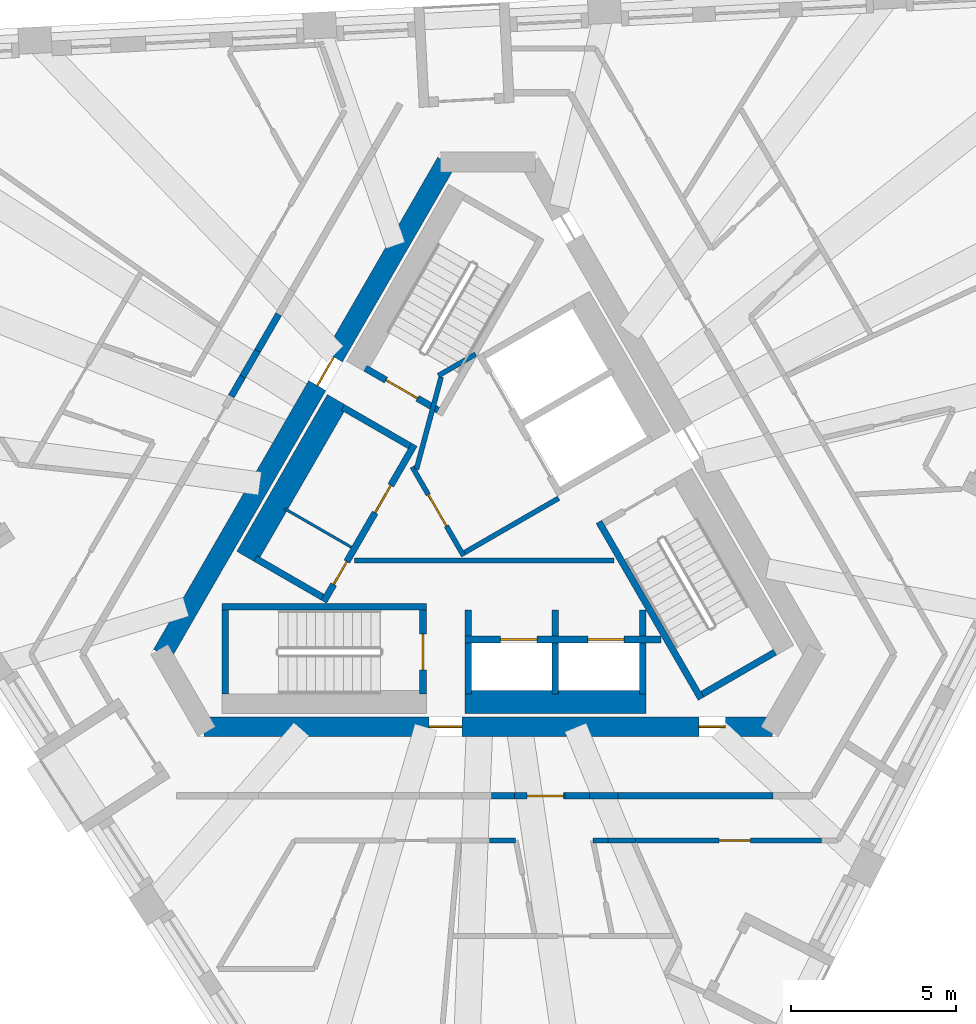
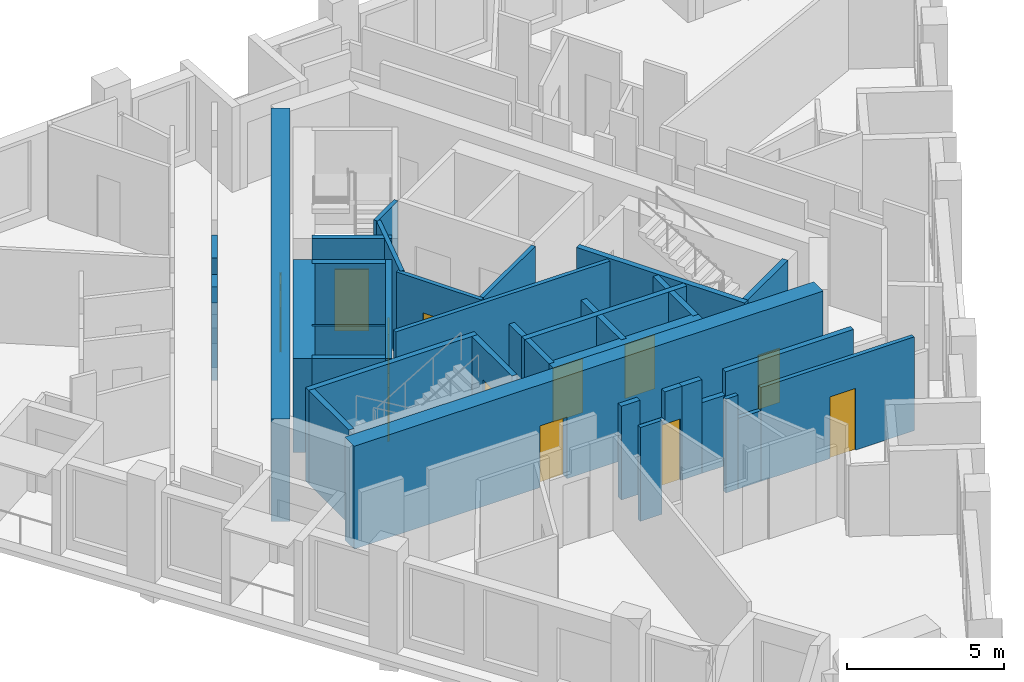
# One storey, part 4 of 13: 38 walls, 12 doors, 12 openings.
"""IFC4 building model written with IfcOpenShell, lengths in metres."""

from ifc_helpers import new_model, si_unit, direction, frame, frame_2d, origin, place, context, subcontext, project, spatial, polyline, rectangle, outline, extrude, material, layer, layer_set, type_object, element, fill, save


model = new_model("IFC4")

# Units and contexts
model_context = context("Model", 3, precision=1e-05, world=origin(), true_north=direction((0.0, 1.0)))
body_context = subcontext(model_context, "Body", "Model", "MODEL_VIEW")
ifc_project = project(units=[si_unit("LENGTHUNIT", "METRE"), si_unit("AREAUNIT", "SQUARE_METRE"), si_unit("VOLUMEUNIT", "CUBIC_METRE"), si_unit("PLANEANGLEUNIT", "RADIAN"), si_unit("MASSUNIT", "GRAM", prefix="KILO")], contexts=[model_context])

# Site, building, storey
site_placement = place(None, origin())
site = spatial("IfcSite", under=ifc_project, at=site_placement, CompositionType="ELEMENT")
building_placement = place(site_placement, origin())
building = spatial("IfcBuilding", under=site, at=building_placement, Name="Tramontana Tower", CompositionType="ELEMENT")
storey_placement = place(building_placement, frame((0.0, 0.0, 294.39990234375)))
storey = spatial("IfcBuildingStorey", under=building, at=storey_placement, Name="L69", CompositionType="ELEMENT", Elevation=294.39990234375)

# Wall, opening, door
ifc_material_1 = material(Name="Concrete 70 MPa", Category="concrete")
ifc_layer_1 = layer(ifc_material_1, 0.60009765625)
ifc_layer_set_1 = layer_set([ifc_layer_1], Name="Core wall 600 70 MPa")
wall_type_1 = type_object("IfcWallType", Name="Core wall 600 70 MPa", PredefinedType="SHEAR", material=ifc_layer_set_1)
wall_1_placement = place(storey_placement, frame((-1.270263671875, 10.699951171875, 0.0), z_axis=(0.0, 0.0, 1.0), x_axis=(-0.499999536116, -0.866025671608, 0.0)))
wall_1 = element("IfcWall", 1, at=wall_1_placement, inside=storey, type_object=wall_type_1, Name="Core wall C1 L69", PredefinedType="SHEAR", context=body_context, shape_type="SweptSolid", body=[
    extrude(rectangle(XDim=17.2626953125, YDim=0.60009765625, at=frame_2d((8.63134765625, 0.0))), origin(), (0.0, 0.0, 1.0), 4.0),
])
opening_1_placement = place(wall_1_placement, frame((6.83642578125, 0.0, 0.0)))
opening_1 = element("IfcOpeningElement", 2, at=opening_1_placement, cuts=wall_1, Name="Opening RG1", PredefinedType="OPENING", context=body_context, shape_type="SweptSolid", body=[
    extrude(rectangle(XDim=1.0, YDim=2.39990234375, at=frame_2d((0.5, 1.199951171875))), frame((0.0, 0.31005859375, 0.0), z_axis=(0.0, -1.0, 0.0), x_axis=(1.0, 0.0, 0.0)), (0.0, 0.0, 1.0), 0.6201171875),
])
ifc_material_2 = material(Name="Painted steel", Category="steel")
door_type_1 = type_object("IfcDoorType", Name="RING DOOR 1000", OperationType="SINGLE_SWING_LEFT", PredefinedType="DOOR", material=ifc_material_2)
door_1_placement = place(opening_1_placement, origin())
door_1 = element("IfcDoor", 3, at=door_1_placement, inside=storey, type_object=door_type_1, Name="Door RG1", OperationType="SINGLE_SWING_RIGHT", OverallHeight=2.39990234375, OverallWidth=1.0, PredefinedType="DOOR", context=body_context, shape_type="SweptSolid", body=[
    extrude(rectangle(XDim=1.0, YDim=2.39990234375, at=frame_2d((0.5, 1.199951171875))), frame((0.0, 0.02490234375, 0.0), z_axis=(0.0, -1.0, 0.0), x_axis=(1.0, 0.0, 0.0)), (0.0, 0.0, 1.0), 0.050048828125),
])
fill(opening_1, door_1)

# Wall, openings, doors
wall_2_placement = place(storey_placement, frame((-8.63134765625, -6.449951171875, 0.0), z_axis=(0.0, 0.0, 1.0), x_axis=(1.0, 0.0, 0.0)))
wall_2 = element("IfcWall", 4, at=wall_2_placement, inside=storey, type_object=wall_type_1, Name="Core wall C3 L69", PredefinedType="SHEAR", context=body_context, shape_type="SweptSolid", body=[
    extrude(rectangle(XDim=17.2626953125, YDim=0.60009765625, at=frame_2d((8.63134765625, 0.0))), origin(), (0.0, 0.0, 1.0), 4.0),
])
opening_2_placement = place(wall_2_placement, frame((6.83642578125, 0.0, 0.0)))
opening_2 = element("IfcOpeningElement", 5, at=opening_2_placement, cuts=wall_2, Name="Opening RG2", PredefinedType="OPENING", context=body_context, shape_type="SweptSolid", body=[
    extrude(rectangle(XDim=1.0, YDim=2.39990234375, at=frame_2d((0.5, 1.199951171875))), frame((0.0, 0.31005859375, 0.0), z_axis=(0.0, -1.0, 0.0), x_axis=(1.0, 0.0, 0.0)), (0.0, 0.0, 1.0), 0.6201171875),
])
opening_3_placement = place(wall_2_placement, frame((15.0341796875, 0.0, 0.0)))
opening_3 = element("IfcOpeningElement", 6, at=opening_3_placement, cuts=wall_2, Name="Opening PD2", PredefinedType="OPENING", context=body_context, shape_type="SweptSolid", body=[
    extrude(rectangle(XDim=0.800048828125, YDim=2.10009765625, at=frame_2d((0.39990234375, 1.050048828125))), frame((0.0, 0.31005859375, 0.0), z_axis=(0.0, -1.0, 0.0), x_axis=(1.0, 0.0, 0.0)), (0.0, 0.0, 1.0), 0.6201171875),
])
ifc_material_3 = material(Name="Painted steel", Category="steel")
door_type_2 = type_object("IfcDoorType", Name="CUPBOARD DOOR 800", OperationType="SINGLE_SWING_LEFT", PredefinedType="DOOR", material=ifc_material_3)
door_2_placement = place(opening_3_placement, origin())
door_2 = element("IfcDoor", 7, at=door_2_placement, inside=storey, type_object=door_type_2, Name="Door PD2", OperationType="SINGLE_SWING_LEFT", OverallHeight=2.10009765625, OverallWidth=0.800048828125, PredefinedType="DOOR", context=body_context, shape_type="SweptSolid", body=[
    extrude(rectangle(XDim=0.800048828125, YDim=2.10009765625, at=frame_2d((0.39990234375, 1.050048828125))), frame((0.0, 0.02490234375, 0.0), z_axis=(0.0, -1.0, 0.0), x_axis=(1.0, 0.0, 0.0)), (0.0, 0.0, 1.0), 0.050048828125),
])
fill(opening_3, door_2)
door_3_placement = place(opening_2_placement, origin())
door_3 = element("IfcDoor", 8, at=door_3_placement, inside=storey, type_object=door_type_1, Name="Door RG2", OperationType="SINGLE_SWING_LEFT", OverallHeight=2.39990234375, OverallWidth=1.0, PredefinedType="DOOR", context=body_context, shape_type="SweptSolid", body=[
    extrude(rectangle(XDim=1.0, YDim=2.39990234375, at=frame_2d((0.5, 1.199951171875))), frame((0.0, 0.02490234375, 0.0), z_axis=(0.0, -1.0, 0.0), x_axis=(1.0, 0.0, 0.0)), (0.0, 0.0, 1.0), 0.050048828125),
])
fill(opening_2, door_3)

# Walls
ifc_material_4 = material(Name="Blockwork", Category="masonry")
ifc_layer_2 = layer(ifc_material_4, 0.199951171875)
ifc_layer_set_2 = layer_set([ifc_layer_2], Name="ENTRY WALL 200")
wall_type_2 = type_object("IfcWallType", Name="ENTRY WALL 200", PredefinedType="SOLIDWALL", material=ifc_layer_set_2)
wall_3_placement = place(storey_placement, frame((8.6552734375, -8.550048828125, 0.0), z_axis=(0.0, 0.0, 1.0), x_axis=(-1.0, 0.0, 0.0)))
element("IfcWall", 9, at=wall_3_placement, inside=storey, type_object=wall_type_2, Name="Wall v71-ew1-1", PredefinedType="SOLIDWALL", context=body_context, shape_type="SweptSolid", body=[
    extrude(rectangle(XDim=4.71728515625, YDim=0.199951171875, at=frame_2d((2.358642578125, 0.0))), origin(), (0.0, 0.0, 1.0), 3.650146484375),
])
wall_4_placement = place(storey_placement, frame((3.93798828125, -8.550048828125, 0.0), z_axis=(0.0, 0.0, 1.0), x_axis=(-1.0, 0.0, 0.0)))
element("IfcWall", 10, at=wall_4_placement, inside=storey, type_object=wall_type_2, Name="Wall v71-ew1-2", PredefinedType="SOLIDWALL", context=body_context, shape_type="SweptSolid", body=[
    extrude(rectangle(XDim=0.864501953125, YDim=0.199951171875, at=frame_2d((0.43212890625, 0.0))), origin(), (0.0, 0.0, 1.0), 2.75),
])
wall_5_placement = place(storey_placement, frame((3.073486328125, -8.550048828125, 0.0), z_axis=(0.0, 0.0, 1.0), x_axis=(-1.0, 0.0, 0.0)))
element("IfcWall", 11, at=wall_5_placement, inside=storey, type_object=wall_type_2, Name="Wall v71-ew1-3", PredefinedType="SOLIDWALL", context=body_context, shape_type="SweptSolid", body=[
    extrude(rectangle(XDim=0.73828125, YDim=0.199951171875, at=frame_2d((0.369140625, 0.0))), origin(), (0.0, 0.0, 1.0), 3.650146484375),
])

# Wall, opening, door
wall_6_placement = place(storey_placement, frame((2.335205078125, -8.550048828125, 0.0), z_axis=(0.0, 0.0, 1.0), x_axis=(-1.0, 0.0, 0.0)))
wall_6 = element("IfcWall", 12, at=wall_6_placement, inside=storey, type_object=wall_type_2, Name="Wall v71-ew1-4", PredefinedType="SOLIDWALL", context=body_context, shape_type="SweptSolid", body=[
    extrude(outline(polyline([(0.0, 0.0), (1.5400390625, 0.0), (1.5400390625, 2.550048828125), (0.63037109375, 2.550048828125), (0.63037109375, 3.650146484375), (0.0, 3.650146484375), (0.0, 0.0)])), frame((0.0, 0.10009765625, 0.0), z_axis=(0.0, -1.0, 0.0), x_axis=(1.0, 0.0, 0.0)), (0.0, 0.0, 1.0), 0.199951171875),
])
opening_4_placement = place(wall_6_placement, frame((0.050048828125, 0.0, 0.0)))
opening_4 = element("IfcOpeningElement", 13, at=opening_4_placement, cuts=wall_6, Name="Opening B7B-21", PredefinedType="OPENING", context=body_context, shape_type="SweptSolid", body=[
    extrude(rectangle(XDim=1.10009765625, YDim=2.39990234375, at=frame_2d((0.550048828125, 1.199951171875))), frame((0.0, 0.10986328125, 0.0), z_axis=(0.0, -1.0, 0.0), x_axis=(1.0, 0.0, 0.0)), (0.0, 0.0, 1.0), 0.219970703125),
])
ifc_material_5 = material(Name="Painted timber", Category="wood")
door_type_3 = type_object("IfcDoorType", Name="DOOR ENTRY 1100", OperationType="SINGLE_SWING_LEFT", PredefinedType="DOOR", material=ifc_material_5)
door_4_placement = place(opening_4_placement, origin())
door_4 = element("IfcDoor", 14, at=door_4_placement, inside=storey, type_object=door_type_3, Name="Door B7B-21", OperationType="SINGLE_SWING_LEFT", OverallHeight=2.39990234375, OverallWidth=1.10009765625, PredefinedType="DOOR", context=body_context, shape_type="SweptSolid", body=[
    extrude(rectangle(XDim=1.10009765625, YDim=2.39990234375, at=frame_2d((0.550048828125, 1.199951171875))), frame((0.0, 0.02490234375, 0.0), z_axis=(0.0, -1.0, 0.0), x_axis=(1.0, 0.0, 0.0)), (0.0, 0.0, 1.0), 0.050048828125),
])
fill(opening_4, door_4)

# Walls
wall_7_placement = place(storey_placement, frame((0.795166015625, -8.550048828125, 0.0), z_axis=(0.0, 0.0, 1.0), x_axis=(-1.0, 0.0, 0.0)))
element("IfcWall", 15, at=wall_7_placement, inside=storey, type_object=wall_type_2, Name="Wall v71-ew1-5", PredefinedType="SOLIDWALL", context=body_context, shape_type="SweptSolid", body=[
    extrude(rectangle(XDim=0.69091796875, YDim=0.199951171875, at=frame_2d((0.345458984375, 0.0))), origin(), (0.0, 0.0, 1.0), 3.650146484375),
])
wall_8_placement = place(storey_placement, frame((-7.80224609375, 3.586181640625, 0.0), z_axis=(0.0, 0.0, 1.0), x_axis=(0.500242282693, 0.865885476611, 0.0)))
element("IfcWall", 16, at=wall_8_placement, inside=storey, type_object=wall_type_2, Name="Wall v71-ew3-5", PredefinedType="SOLIDWALL", context=body_context, shape_type="SweptSolid", body=[
    extrude(rectangle(XDim=0.691162109375, YDim=0.199951171875, at=frame_2d((0.345703125, 0.0))), origin(), (0.0, 0.0, 1.0), 3.650146484375),
])
wall_9_placement = place(storey_placement, frame((-7.45654296875, 4.1845703125, 0.0), z_axis=(0.0, 0.0, 1.0), x_axis=(0.499753735824, 0.866167537795, 0.0)))
element("IfcWall", 17, at=wall_9_placement, inside=storey, type_object=wall_type_2, Name="Wall v71-ew3-6", PredefinedType="SOLIDWALL", context=body_context, shape_type="SweptSolid", body=[
    extrude(rectangle(XDim=0.90087890625, YDim=0.199951171875, at=frame_2d((0.450439453125, 0.0))), origin(), (0.0, 0.0, 1.0), 2.550048828125),
])
wall_10_placement = place(storey_placement, frame((-7.00634765625, 4.96484375, 0.0), z_axis=(0.0, 0.0, 1.0), x_axis=(0.500018234033, 0.866014876105, 0.0)))
element("IfcWall", 18, at=wall_10_placement, inside=storey, type_object=wall_type_2, Name="Wall v71-ew3-7", PredefinedType="SOLIDWALL", context=body_context, shape_type="SweptSolid", body=[
    extrude(rectangle(XDim=1.2861328125, YDim=0.199951171875, at=frame_2d((0.64306640625, 0.0))), origin(), (0.0, 0.0, 1.0), 3.650146484375),
])

# Wall, opening, door
ifc_material_6 = material(Name="Gypsum board partition")
ifc_layer_3 = layer(ifc_material_6, 0.14990234375)
ifc_layer_set_3 = layer_set([ifc_layer_3], Name="PARTITION 150")
wall_type_3 = type_object("IfcWallType", Name="PARTITION 150", PredefinedType="PARTITIONING", material=ifc_layer_set_3)
wall_11_placement = place(storey_placement, frame((-0.744140625, -1.260986328125, 0.0), z_axis=(0.0, 0.0, 1.0), x_axis=(-0.500004234368, 0.866022959057, 0.0)))
wall_11 = element("IfcWall", 19, at=wall_11_placement, inside=storey, type_object=wall_type_3, Name="Wall ff-front", PredefinedType="PARTITIONING", context=body_context, shape_type="SweptSolid", body=[
    extrude(rectangle(XDim=3.125, YDim=0.14990234375, at=frame_2d((1.5625, 0.0))), origin(), (0.0, 0.0, 1.0), 3.650146484375),
])
opening_5_placement = place(wall_11_placement, frame((1.050048828125, 0.0, 0.0)))
opening_5 = element("IfcOpeningElement", 20, at=opening_5_placement, cuts=wall_11, Name="Opening FD1", PredefinedType="OPENING", context=body_context, shape_type="SweptSolid", body=[
    extrude(rectangle(XDim=1.10009765625, YDim=2.39990234375, at=frame_2d((0.550048828125, 1.199951171875))), frame((0.0, 0.0849609375, 0.0), z_axis=(0.0, -1.0, 0.0), x_axis=(1.0, 0.0, 0.0)), (0.0, 0.0, 1.0), 0.169921875),
])
door_5_placement = place(opening_5_placement, origin())
door_5 = element("IfcDoor", 21, at=door_5_placement, inside=storey, type_object=door_type_3, Name="Door FD1", OperationType="SINGLE_SWING_LEFT", OverallHeight=2.39990234375, OverallWidth=1.10009765625, PredefinedType="DOOR", context=body_context, shape_type="SweptSolid", body=[
    extrude(rectangle(XDim=1.10009765625, YDim=2.39990234375, at=frame_2d((0.550048828125, 1.199951171875))), frame((0.0, 0.02490234375, 0.0), z_axis=(0.0, -1.0, 0.0), x_axis=(1.0, 0.0, 0.0)), (0.0, 0.0, 1.0), 0.050048828125),
])
fill(opening_5, door_5)

# Walls
wall_12_placement = place(storey_placement, frame((-0.716796875, -1.15869140625, 0.0), z_axis=(0.0, 0.0, 1.0), x_axis=(0.866008176907, 0.50002983664, 0.0)))
element("IfcWall", 22, at=wall_12_placement, inside=storey, type_object=wall_type_3, Name="Wall ff-end0", PredefinedType="PARTITIONING", context=body_context, shape_type="SweptSolid", body=[
    extrude(rectangle(XDim=3.300048828125, YDim=0.14990234375, at=frame_2d((1.64990234375, 0.0))), origin(), (0.0, 0.0, 1.0), 3.650146484375),
])
wall_13_placement = place(storey_placement, frame((-2.177978515625, 1.372314453125, 0.0), z_axis=(0.0, 0.0, 1.0), x_axis=(0.258808958833, 0.96592852884, 0.0)))
element("IfcWall", 23, at=wall_13_placement, inside=storey, type_object=wall_type_3, Name="Wall ff-diag", PredefinedType="PARTITIONING", context=body_context, shape_type="SweptSolid", body=[
    extrude(rectangle(XDim=2.902587890625, YDim=0.14990234375, at=frame_2d((1.451171875, 0.0))), origin(), (0.0, 0.0, 1.0), 3.650146484375),
])
wall_14_placement = place(storey_placement, frame((-1.509765625, 4.21484375, 0.0), z_axis=(0.0, 0.0, 1.0), x_axis=(0.866085525409, 0.49989585183, 0.0)))
element("IfcWall", 24, at=wall_14_placement, inside=storey, type_object=wall_type_3, Name="Wall ff-end1", PredefinedType="PARTITIONING", context=body_context, shape_type="SweptSolid", body=[
    extrude(rectangle(XDim=1.300048828125, YDim=0.14990234375, at=frame_2d((0.64990234375, 0.0))), origin(), (0.0, 0.0, 1.0), 3.650146484375),
])
wall_15_placement = place(storey_placement, frame((-4.053466796875, -1.39990234375, 0.0), z_axis=(0.0, 0.0, 1.0), x_axis=(1.0, 0.0, 0.0)))
element("IfcWall", 25, at=wall_15_placement, inside=storey, type_object=wall_type_3, Name="Wall hub-cut1", PredefinedType="PARTITIONING", context=body_context, shape_type="SweptSolid", body=[
    extrude(rectangle(XDim=7.8759765625, YDim=0.14990234375, at=frame_2d((3.93798828125, 0.0))), origin(), (0.0, 0.0, 1.0), 3.650146484375),
])
wall_16_placement = place(storey_placement, frame((0.83251953125, -9.89990234375, 0.0), z_axis=(0.0, 0.0, 1.0), x_axis=(-1.0, 0.0, 0.0)))
element("IfcWall", 26, at=wall_16_placement, inside=storey, type_object=wall_type_3, Name="Wall v71-pw21-0", PredefinedType="PARTITIONING", context=body_context, shape_type="SweptSolid", body=[
    extrude(rectangle(XDim=0.79541015625, YDim=0.14990234375, at=frame_2d((0.397705078125, 0.0))), origin(), (0.0, 0.0, 1.0), 3.650146484375),
])

# Wall, opening, door
wall_17_placement = place(storey_placement, frame((10.121337890625, -9.89990234375, 0.0), z_axis=(0.0, 0.0, 1.0), x_axis=(-1.0, 0.0, 0.0)))
wall_17 = element("IfcWall", 27, at=wall_17_placement, inside=storey, type_object=wall_type_3, Name="Wall v71-pw36-1", PredefinedType="PARTITIONING", context=body_context, shape_type="SweptSolid", body=[
    extrude(rectangle(XDim=5.643310546875, YDim=0.14990234375, at=frame_2d((2.82177734375, 0.0))), origin(), (0.0, 0.0, 1.0), 3.650146484375),
])
opening_6_placement = place(wall_17_placement, frame((2.158447265625, 0.0, 0.0)))
opening_6 = element("IfcOpeningElement", 28, at=opening_6_placement, cuts=wall_17, Name="Opening B7B-11", PredefinedType="OPENING", context=body_context, shape_type="SweptSolid", body=[
    extrude(rectangle(XDim=0.949951171875, YDim=2.39990234375, at=frame_2d((0.47509765625, 1.199951171875))), frame((0.0, 0.0849609375, 0.0), z_axis=(0.0, -1.0, 0.0), x_axis=(1.0, 0.0, 0.0)), (0.0, 0.0, 1.0), 0.169921875),
])
ifc_material_7 = material(Name="Painted timber", Category="wood")
door_type_4 = type_object("IfcDoorType", Name="DOOR ROOM 950", OperationType="SINGLE_SWING_LEFT", PredefinedType="DOOR", material=ifc_material_7)
door_6_placement = place(opening_6_placement, origin())
door_6 = element("IfcDoor", 29, at=door_6_placement, inside=storey, type_object=door_type_4, Name="Door B7B-11", OperationType="SINGLE_SWING_LEFT", OverallHeight=2.39990234375, OverallWidth=0.949951171875, PredefinedType="DOOR", context=body_context, shape_type="SweptSolid", body=[
    extrude(rectangle(XDim=0.949951171875, YDim=2.39990234375, at=frame_2d((0.47509765625, 1.199951171875))), frame((0.0, 0.02490234375, 0.0), z_axis=(0.0, -1.0, 0.0), x_axis=(1.0, 0.0, 0.0)), (0.0, 0.0, 1.0), 0.050048828125),
])
fill(opening_6, door_6)

# Walls
wall_18_placement = place(storey_placement, frame((4.47802734375, -9.89990234375, 0.0), z_axis=(0.0, 0.0, 1.0), x_axis=(-1.0, 0.0, 0.0)))
element("IfcWall", 30, at=wall_18_placement, inside=storey, type_object=wall_type_3, Name="Wall v71-pw36-2", PredefinedType="PARTITIONING", context=body_context, shape_type="SweptSolid", body=[
    extrude(rectangle(XDim=0.837646484375, YDim=0.14990234375, at=frame_2d((0.4189453125, 0.0))), origin(), (0.0, 0.0, 1.0), 2.75),
])
wall_19_placement = place(storey_placement, frame((3.640380859375, -9.89990234375, 0.0), z_axis=(0.0, 0.0, 1.0), x_axis=(-1.0, 0.0, 0.0)))
element("IfcWall", 31, at=wall_19_placement, inside=storey, type_object=wall_type_3, Name="Wall v71-pw36-3", PredefinedType="PARTITIONING", context=body_context, shape_type="SweptSolid", body=[
    extrude(rectangle(XDim=0.45263671875, YDim=0.14990234375, at=frame_2d((0.226318359375, 0.0))), origin(), (0.0, 0.0, 1.0), 3.650146484375),
])
ifc_material_8 = material(Name="Gypsum board partition")
ifc_layer_4 = layer(ifc_material_8, 0.080078125)
ifc_layer_set_4 = layer_set([ifc_layer_4], Name="PARTITION 80")
wall_type_4 = type_object("IfcWallType", Name="PARTITION 80", PredefinedType="PARTITIONING", material=ifc_layer_set_4)
wall_20_placement = place(storey_placement, frame((-4.15478515625, -0.99609375, 0.0), z_axis=(0.0, 0.0, 1.0), x_axis=(-0.866016039709, 0.500016218704, 0.0)))
element("IfcWall", 32, at=wall_20_placement, inside=storey, type_object=wall_type_4, Name="Wall row0-split", PredefinedType="PARTITIONING", context=body_context, shape_type="SweptSolid", body=[
    extrude(rectangle(XDim=2.35009765625, YDim=0.080078125, at=frame_2d((1.175048828125, 0.0))), origin(), (0.0, 0.0, 1.0), 3.650146484375),
])
ifc_material_9 = material(Name="Concrete 70 MPa", Category="concrete")
ifc_layer_5 = layer(ifc_material_9, 0.699951171875)
ifc_layer_set_5 = layer_set([ifc_layer_5], Name="Concrete 70 MPa, 700 mm")
wall_type_5 = type_object("IfcWallType", Name="RC SHAFT BACK WALL 700", PredefinedType="SOLIDWALL", material=ifc_layer_set_5)
for number, where, z_axis, x_axis, name in (
    (33, (-4.581298828125, 3.46484375, 0.0), (0.0, 0.0, 1.0), (-0.499996545922, -0.866027397988, 0.0), "Wall row0-back"),
    (34, (-0.7099609375, -5.699951171875, 0.0), (0.0, 0.0, 1.0), (1.0, 0.0, 0.0), "Wall row1-back"),
):
    element("IfcWall", number, at=place(storey_placement, frame(where, z_axis=z_axis, x_axis=x_axis)), inside=storey, type_object=wall_type_5, Name=name, PredefinedType="SOLIDWALL", context=body_context, shape_type="SweptSolid", body=[
        extrude(rectangle(XDim=5.5, YDim=0.699951171875, at=frame_2d((2.75, 0.0))), origin(), (0.0, 0.0, 1.0), 3.650146484375),
    ])

# Wall, opening, door
ifc_material_10 = material(Name="Concrete 70 MPa", Category="concrete")
ifc_layer_6 = layer(ifc_material_10, 0.199951171875)
ifc_layer_set_6 = layer_set([ifc_layer_6], Name="Concrete 70 MPa, 200 mm")
wall_type_6 = type_object("IfcWallType", Name="RC STAIR AND SHAFT WALL 200", PredefinedType="SOLIDWALL", material=ifc_layer_set_6)
wall_21_placement = place(storey_placement, frame((-1.521484375, 3.164794921875, 0.0), z_axis=(0.0, 0.0, 1.0), x_axis=(-0.866030925526, 0.499990435942, 0.0)))
wall_21 = element("IfcWall", 35, at=wall_21_placement, inside=storey, type_object=wall_type_6, Name="Wall st1-near", PredefinedType="SOLIDWALL", context=body_context, shape_type="SweptSolid", body=[
    extrude(rectangle(XDim=2.5498046875, YDim=0.199951171875, at=frame_2d((1.27490234375, 0.0))), origin(), (0.0, 0.0, 1.0), 3.650146484375),
])
opening_7_placement = place(wall_21_placement, frame((0.72509765625, 0.0, 0.0)))
opening_7 = element("IfcOpeningElement", 36, at=opening_7_placement, cuts=wall_21, Name="Opening SD1", PredefinedType="OPENING", context=body_context, shape_type="SweptSolid", body=[
    extrude(rectangle(XDim=1.10009765625, YDim=2.39990234375, at=frame_2d((0.550048828125, 1.199951171875))), frame((0.0, 0.10986328125, 0.0), z_axis=(0.0, -1.0, 0.0), x_axis=(1.0, 0.0, 0.0)), (0.0, 0.0, 1.0), 0.219970703125),
])
ifc_material_11 = material(Name="Painted steel", Category="steel")
door_type_5 = type_object("IfcDoorType", Name="STAIR DOOR 1100", OperationType="SINGLE_SWING_LEFT", PredefinedType="DOOR", material=ifc_material_11)
door_7_placement = place(opening_7_placement, origin())
door_7 = element("IfcDoor", 37, at=door_7_placement, inside=storey, type_object=door_type_5, Name="Door SD1", OperationType="SINGLE_SWING_RIGHT", OverallHeight=2.39990234375, OverallWidth=1.10009765625, PredefinedType="DOOR", context=body_context, shape_type="SweptSolid", body=[
    extrude(rectangle(XDim=1.10009765625, YDim=2.39990234375, at=frame_2d((0.550048828125, 1.199951171875))), frame((0.0, 0.02490234375, 0.0), z_axis=(0.0, -1.0, 0.0), x_axis=(1.0, 0.0, 0.0)), (0.0, 0.0, 1.0), 0.050048828125),
])
fill(opening_7, door_7)

# Walls
wall_22_placement = place(storey_placement, frame((-8.080078125, -2.800048828125, 0.0), z_axis=(0.0, 0.0, 1.0), x_axis=(1.0, 0.0, 0.0)))
element("IfcWall", 38, at=wall_22_placement, inside=storey, type_object=wall_type_6, Name="Wall st2-front", PredefinedType="SOLIDWALL", context=body_context, shape_type="SweptSolid", body=[
    extrude(rectangle(XDim=6.2001953125, YDim=0.199951171875, at=frame_2d((3.10009765625, 0.0))), origin(), (0.0, 0.0, 1.0), 3.650146484375),
])
wall_23_placement = place(storey_placement, frame((-7.97998046875, -2.89990234375, 0.0), z_axis=(0.0, 0.0, 1.0), x_axis=(0.0, -1.0, 0.0)))
element("IfcWall", 39, at=wall_23_placement, inside=storey, type_object=wall_type_6, Name="Wall st2-far", PredefinedType="SOLIDWALL", context=body_context, shape_type="SweptSolid", body=[
    extrude(rectangle(XDim=2.550048828125, YDim=0.199951171875, at=frame_2d((1.27490234375, 0.0))), origin(), (0.0, 0.0, 1.0), 3.650146484375),
])

# Wall, opening, door
wall_24_placement = place(storey_placement, frame((-1.97998046875, -2.89990234375, 0.0), z_axis=(0.0, 0.0, 1.0), x_axis=(0.0, -1.0, 0.0)))
wall_24 = element("IfcWall", 40, at=wall_24_placement, inside=storey, type_object=wall_type_6, Name="Wall st2-near", PredefinedType="SOLIDWALL", context=body_context, shape_type="SweptSolid", body=[
    extrude(rectangle(XDim=2.550048828125, YDim=0.199951171875, at=frame_2d((1.27490234375, 0.0))), origin(), (0.0, 0.0, 1.0), 3.650146484375),
])
opening_8_placement = place(wall_24_placement, frame((0.72509765625, 0.0, 0.0)))
opening_8 = element("IfcOpeningElement", 41, at=opening_8_placement, cuts=wall_24, Name="Opening SD2", PredefinedType="OPENING", context=body_context, shape_type="SweptSolid", body=[
    extrude(rectangle(XDim=1.10009765625, YDim=2.39990234375, at=frame_2d((0.550048828125, 1.199951171875))), frame((0.0, 0.10986328125, 0.0), z_axis=(0.0, -1.0, 0.0), x_axis=(1.0, 0.0, 0.0)), (0.0, 0.0, 1.0), 0.219970703125),
])
door_8_placement = place(opening_8_placement, origin())
door_8 = element("IfcDoor", 42, at=door_8_placement, inside=storey, type_object=door_type_5, Name="Door SD2", OperationType="SINGLE_SWING_LEFT", OverallHeight=2.39990234375, OverallWidth=1.10009765625, PredefinedType="DOOR", context=body_context, shape_type="SweptSolid", body=[
    extrude(rectangle(XDim=1.10009765625, YDim=2.39990234375, at=frame_2d((0.550048828125, 1.199951171875))), frame((0.0, 0.02490234375, 0.0), z_axis=(0.0, -1.0, 0.0), x_axis=(1.0, 0.0, 0.0)), (0.0, 0.0, 1.0), 0.050048828125),
])
fill(opening_8, door_8)

# Walls
wall_25_placement = place(storey_placement, frame((6.46484375, -5.597412109375, 0.0), z_axis=(0.0, 0.0, 1.0), x_axis=(-0.49998037582, 0.866036733513, 0.0)))
element("IfcWall", 43, at=wall_25_placement, inside=storey, type_object=wall_type_6, Name="Wall st3-front", PredefinedType="SOLIDWALL", context=body_context, shape_type="SweptSolid", body=[
    extrude(rectangle(XDim=6.199951171875, YDim=0.199951171875, at=frame_2d((3.10009765625, 0.0))), origin(), (0.0, 0.0, 1.0), 3.650146484375),
])
wall_26_placement = place(storey_placement, frame((6.50146484375, -5.4609375, 0.0), z_axis=(0.0, 0.0, 1.0), x_axis=(0.865989465428, 0.500062241894, 0.0)))
element("IfcWall", 44, at=wall_26_placement, inside=storey, type_object=wall_type_6, Name="Wall st3-far", PredefinedType="SOLIDWALL", context=body_context, shape_type="SweptSolid", body=[
    extrude(rectangle(XDim=2.550048828125, YDim=0.199951171875, at=frame_2d((1.27490234375, 0.0))), origin(), (0.0, 0.0, 1.0), 3.650146484375),
])

# Wall, openings, doors
wall_27_placement = place(storey_placement, frame((-4.9931640625, -2.648193359375, 0.0), z_axis=(0.0, 0.0, 1.0), x_axis=(0.499996545922, 0.866027397988, 0.0)))
wall_27 = element("IfcWall", 45, at=wall_27_placement, inside=storey, type_object=wall_type_6, Name="Wall row0-front", PredefinedType="SOLIDWALL", context=body_context, shape_type="SweptSolid", body=[
    extrude(rectangle(XDim=5.5, YDim=0.199951171875, at=frame_2d((2.75, 0.0))), origin(), (0.0, 0.0, 1.0), 3.650146484375),
])
opening_9_placement = place(wall_27_placement, frame((3.1201171875, 0.0, 0.0)))
opening_9 = element("IfcOpeningElement", 46, at=opening_9_placement, cuts=wall_27, Name="Opening RD-0A", PredefinedType="OPENING", context=body_context, shape_type="SweptSolid", body=[
    extrude(rectangle(XDim=0.949951171875, YDim=2.39990234375, at=frame_2d((0.47509765625, 1.199951171875))), frame((0.0, 0.10986328125, 0.0), z_axis=(0.0, -1.0, 0.0), x_axis=(1.0, 0.0, 0.0)), (0.0, 0.0, 1.0), 0.219970703125),
])
opening_10_placement = place(wall_27_placement, frame((0.60498046875, 0.0, 0.0)))
opening_10 = element("IfcOpeningElement", 47, at=opening_10_placement, cuts=wall_27, Name="Opening RD-0B", PredefinedType="OPENING", context=body_context, shape_type="SweptSolid", body=[
    extrude(rectangle(XDim=0.800048828125, YDim=2.10009765625, at=frame_2d((0.39990234375, 1.050048828125))), frame((0.0, 0.10986328125, 0.0), z_axis=(0.0, -1.0, 0.0), x_axis=(1.0, 0.0, 0.0)), (0.0, 0.0, 1.0), 0.219970703125),
])
door_9_placement = place(opening_10_placement, origin())
door_9 = element("IfcDoor", 48, at=door_9_placement, inside=storey, type_object=door_type_2, Name="Door RD-0B", OperationType="SINGLE_SWING_RIGHT", OverallHeight=2.10009765625, OverallWidth=0.800048828125, PredefinedType="DOOR", context=body_context, shape_type="SweptSolid", body=[
    extrude(rectangle(XDim=0.800048828125, YDim=2.10009765625, at=frame_2d((0.39990234375, 1.050048828125))), frame((0.0, 0.02490234375, 0.0), z_axis=(0.0, -1.0, 0.0), x_axis=(1.0, 0.0, 0.0)), (0.0, 0.0, 1.0), 0.050048828125),
])
fill(opening_10, door_9)
door_10_placement = place(opening_9_placement, origin())
door_10 = element("IfcDoor", 49, at=door_10_placement, inside=storey, type_object=door_type_4, Name="Door RD-0A", OperationType="SINGLE_SWING_LEFT", OverallHeight=2.39990234375, OverallWidth=0.949951171875, PredefinedType="DOOR", context=body_context, shape_type="SweptSolid", body=[
    extrude(rectangle(XDim=0.949951171875, YDim=2.39990234375, at=frame_2d((0.47509765625, 1.199951171875))), frame((0.0, 0.02490234375, 0.0), z_axis=(0.0, -1.0, 0.0), x_axis=(1.0, 0.0, 0.0)), (0.0, 0.0, 1.0), 0.050048828125),
])
fill(opening_9, door_10)

# Walls
wall_28_placement = place(storey_placement, frame((-2.379638671875, 2.078369140625, 0.0), z_axis=(0.0, 0.0, 1.0), x_axis=(-0.866061024631, 0.499938297808, 0.0)))
element("IfcWall", 50, at=wall_28_placement, inside=storey, type_object=wall_type_6, Name="Wall row0-side0", PredefinedType="SOLIDWALL", context=body_context, shape_type="SweptSolid", body=[
    extrude(rectangle(XDim=2.349853515625, YDim=0.199951171875, at=frame_2d((1.1748046875, 0.0))), origin(), (0.0, 0.0, 1.0), 3.650146484375),
])
wall_29_placement = place(storey_placement, frame((-5.02978515625, -2.51171875, 0.0), z_axis=(0.0, 0.0, 1.0), x_axis=(-0.866016039709, 0.500016218704, 0.0)))
element("IfcWall", 51, at=wall_29_placement, inside=storey, type_object=wall_type_6, Name="Wall row0-side2", PredefinedType="SOLIDWALL", context=body_context, shape_type="SweptSolid", body=[
    extrude(rectangle(XDim=2.35009765625, YDim=0.199951171875, at=frame_2d((1.175048828125, 0.0))), origin(), (0.0, 0.0, 1.0), 3.650146484375),
])

# Wall, openings, doors
wall_30_placement = place(storey_placement, frame((-0.7099609375, -3.800048828125, 0.0), z_axis=(0.0, 0.0, 1.0), x_axis=(1.0, 0.0, 0.0)))
wall_30 = element("IfcWall", 52, at=wall_30_placement, inside=storey, type_object=wall_type_6, Name="Wall row1-front", PredefinedType="SOLIDWALL", context=body_context, shape_type="SweptSolid", body=[
    extrude(rectangle(XDim=5.96142578125, YDim=0.199951171875, at=frame_2d((2.980712890625, 0.0))), origin(), (0.0, 0.0, 1.0), 3.650146484375),
])
opening_11_placement = place(wall_30_placement, frame((1.090087890625, 0.0, 0.0)))
opening_11 = element("IfcOpeningElement", 53, at=opening_11_placement, cuts=wall_30, Name="Opening LD-S1", PredefinedType="OPENING", context=body_context, shape_type="SweptSolid", body=[
    extrude(rectangle(XDim=1.10009765625, YDim=2.10009765625, at=frame_2d((0.550048828125, 1.050048828125))), frame((0.0, 0.10986328125, 0.0), z_axis=(0.0, -1.0, 0.0), x_axis=(1.0, 0.0, 0.0)), (0.0, 0.0, 1.0), 0.219970703125),
])
opening_12_placement = place(wall_30_placement, frame((3.739990234375, 0.0, 0.0)))
opening_12 = element("IfcOpeningElement", 54, at=opening_12_placement, cuts=wall_30, Name="Opening LD-S2", PredefinedType="OPENING", context=body_context, shape_type="SweptSolid", body=[
    extrude(rectangle(XDim=1.10009765625, YDim=2.10009765625, at=frame_2d((0.550048828125, 1.050048828125))), frame((0.0, 0.10986328125, 0.0), z_axis=(0.0, -1.0, 0.0), x_axis=(1.0, 0.0, 0.0)), (0.0, 0.0, 1.0), 0.219970703125),
])
ifc_material_12 = material(Name="Brushed steel", Category="steel")
door_type_6 = type_object("IfcDoorType", Name="LANDING DOOR 1100", OperationType="SINGLE_SWING_LEFT", PredefinedType="DOOR", material=ifc_material_12)
door_11_placement = place(opening_11_placement, origin())
door_11 = element("IfcDoor", 55, at=door_11_placement, inside=storey, type_object=door_type_6, Name="Door LD-S1", OperationType="SLIDING_TO_LEFT", OverallHeight=2.10009765625, OverallWidth=1.10009765625, PredefinedType="DOOR", context=body_context, shape_type="SweptSolid", body=[
    extrude(rectangle(XDim=1.10009765625, YDim=2.10009765625, at=frame_2d((0.550048828125, 1.050048828125))), frame((0.0, 0.02490234375, 0.0), z_axis=(0.0, -1.0, 0.0), x_axis=(1.0, 0.0, 0.0)), (0.0, 0.0, 1.0), 0.050048828125),
])
fill(opening_11, door_11)
door_12_placement = place(opening_12_placement, origin())
door_12 = element("IfcDoor", 56, at=door_12_placement, inside=storey, type_object=door_type_6, Name="Door LD-S2", OperationType="SLIDING_TO_RIGHT", OverallHeight=2.10009765625, OverallWidth=1.10009765625, PredefinedType="DOOR", context=body_context, shape_type="SweptSolid", body=[
    extrude(rectangle(XDim=1.10009765625, YDim=2.10009765625, at=frame_2d((0.550048828125, 1.050048828125))), frame((0.0, 0.02490234375, 0.0), z_axis=(0.0, -1.0, 0.0), x_axis=(1.0, 0.0, 0.0)), (0.0, 0.0, 1.0), 0.050048828125),
])
fill(opening_12, door_12)

# Walls
wall_31_placement = place(storey_placement, frame((-0.610107421875, -3.89990234375, 0.0), z_axis=(0.0, 0.0, 1.0), x_axis=(0.0, -1.0, 0.0)))
element("IfcWall", 57, at=wall_31_placement, inside=storey, type_object=wall_type_6, Name="Wall row1-side0", PredefinedType="SOLIDWALL", context=body_context, shape_type="SweptSolid", body=[
    extrude(rectangle(XDim=1.550048828125, YDim=0.199951171875, at=frame_2d((0.77490234375, 0.0))), origin(), (0.0, 0.0, 1.0), 3.650146484375),
])
wall_32_placement = place(storey_placement, frame((-0.610107421875, -2.89990234375, 0.0), z_axis=(0.0, 0.0, 1.0), x_axis=(0.0, -1.0, 0.0)))
element("IfcWall", 58, at=wall_32_placement, inside=storey, type_object=wall_type_6, Name="Wall row1-side0-ret", PredefinedType="SOLIDWALL", context=body_context, shape_type="SweptSolid", body=[
    extrude(rectangle(XDim=0.800048828125, YDim=0.199951171875, at=frame_2d((0.39990234375, 0.0))), origin(), (0.0, 0.0, 1.0), 3.650146484375),
])
wall_33_placement = place(storey_placement, frame((2.0400390625, -3.89990234375, 0.0), z_axis=(0.0, 0.0, 1.0), x_axis=(0.0, -1.0, 0.0)))
element("IfcWall", 59, at=wall_33_placement, inside=storey, type_object=wall_type_6, Name="Wall row1-side1", PredefinedType="SOLIDWALL", context=body_context, shape_type="SweptSolid", body=[
    extrude(rectangle(XDim=1.550048828125, YDim=0.199951171875, at=frame_2d((0.77490234375, 0.0))), origin(), (0.0, 0.0, 1.0), 3.650146484375),
])
wall_34_placement = place(storey_placement, frame((2.0400390625, -2.89990234375, 0.0), z_axis=(0.0, 0.0, 1.0), x_axis=(0.0, -1.0, 0.0)))
element("IfcWall", 60, at=wall_34_placement, inside=storey, type_object=wall_type_6, Name="Wall row1-side1-ret", PredefinedType="SOLIDWALL", context=body_context, shape_type="SweptSolid", body=[
    extrude(rectangle(XDim=0.800048828125, YDim=0.199951171875, at=frame_2d((0.39990234375, 0.0))), origin(), (0.0, 0.0, 1.0), 3.650146484375),
])
wall_35_placement = place(storey_placement, frame((4.68994140625, -3.89990234375, 0.0), z_axis=(0.0, 0.0, 1.0), x_axis=(0.0, -1.0, 0.0)))
element("IfcWall", 61, at=wall_35_placement, inside=storey, type_object=wall_type_6, Name="Wall row1-side2", PredefinedType="SOLIDWALL", context=body_context, shape_type="SweptSolid", body=[
    extrude(rectangle(XDim=1.550048828125, YDim=0.199951171875, at=frame_2d((0.77490234375, 0.0))), origin(), (0.0, 0.0, 1.0), 3.650146484375),
])
wall_36_placement = place(storey_placement, frame((4.68994140625, -2.89990234375, 0.0), z_axis=(0.0, 0.0, 1.0), x_axis=(0.0, -1.0, 0.0)))
element("IfcWall", 62, at=wall_36_placement, inside=storey, type_object=wall_type_6, Name="Wall row1-side2-ret", PredefinedType="SOLIDWALL", context=body_context, shape_type="SweptSolid", body=[
    extrude(rectangle(XDim=0.800048828125, YDim=0.199951171875, at=frame_2d((0.39990234375, 0.0))), origin(), (0.0, 0.0, 1.0), 3.650146484375),
])

save(model, "model.ifc")
